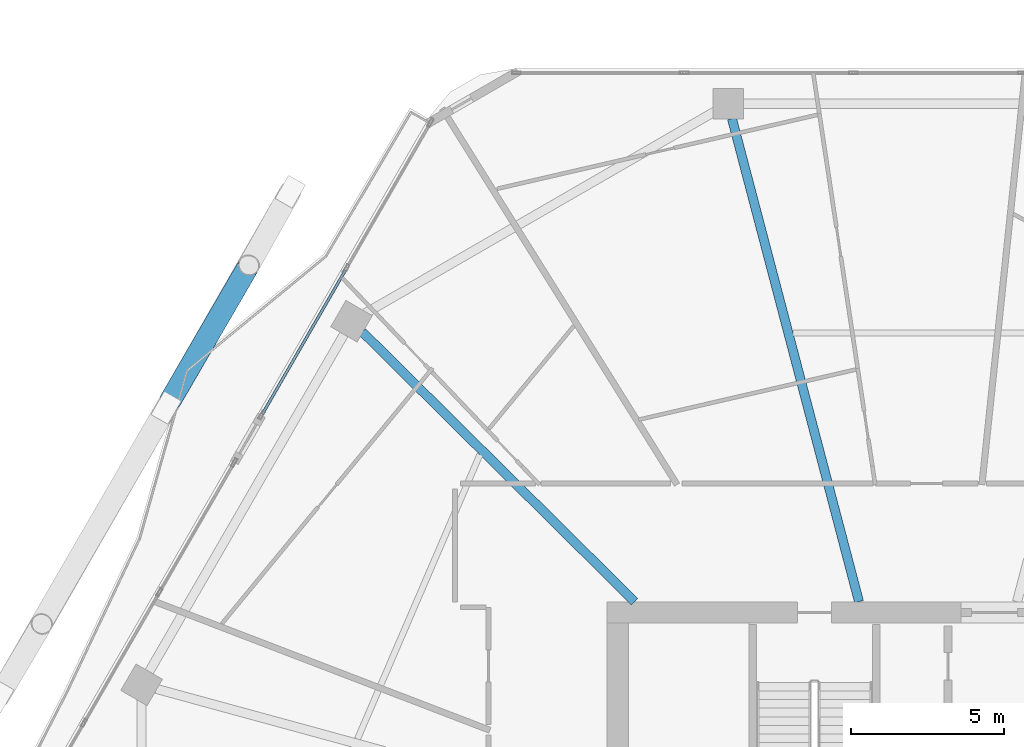
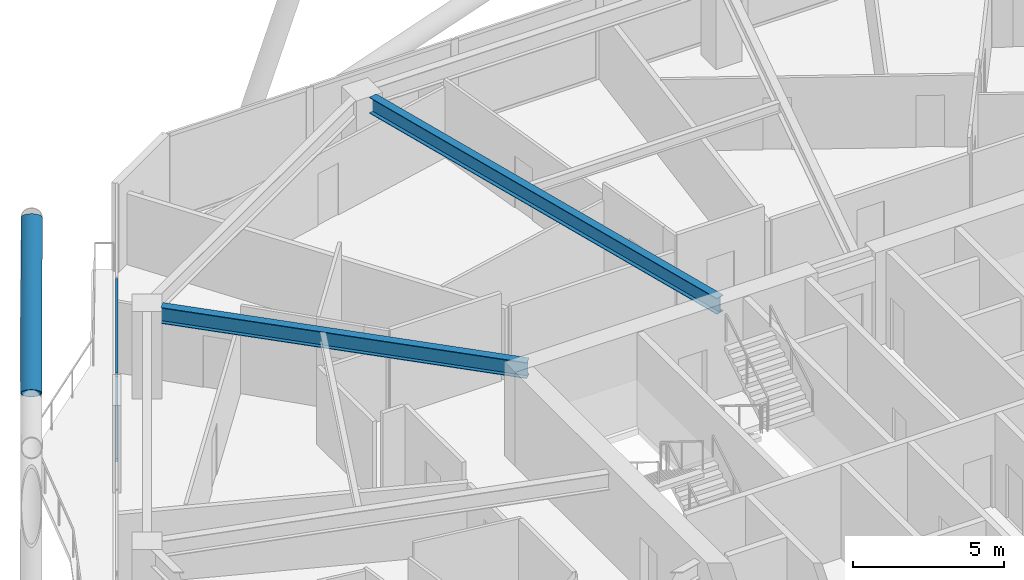
# One storey, part 13 of 30: 3 members, 2 beams, 1 element without a shape of its own.
"""IFC4 building model written with IfcOpenShell, lengths in metres."""

from ifc_helpers import new_model, si_unit, direction, frame, origin, origin_2d, place, context, subcontext, project, spatial, hollow_rectangle, hollow_circle, i_section, extrude, material, material_profile, profile_set, type_object, element, aggregate, save


model = new_model("IFC4")

# Units and contexts
model_context = context("Model", 3, precision=1e-05, world=origin(), true_north=direction((0.0, 1.0)))
body_context = subcontext(model_context, "Body", "Model", "MODEL_VIEW")
ifc_project = project(units=[si_unit("LENGTHUNIT", "METRE"), si_unit("AREAUNIT", "SQUARE_METRE"), si_unit("VOLUMEUNIT", "CUBIC_METRE"), si_unit("PLANEANGLEUNIT", "RADIAN"), si_unit("MASSUNIT", "GRAM", prefix="KILO")], contexts=[model_context])

# Site, building, storey
site_placement = place(None, origin())
site = spatial("IfcSite", under=ifc_project, at=site_placement, CompositionType="ELEMENT")
building_placement = place(site_placement, origin())
building = spatial("IfcBuilding", under=site, at=building_placement, Name="Zuhravey Tower", CompositionType="ELEMENT")
storey_placement = place(building_placement, frame((0.0, 0.0, 177.0)))
storey = spatial("IfcBuildingStorey", under=building, at=storey_placement, Name="L44", CompositionType="ELEMENT", Elevation=177.0)

# Curtain wall, members
ifc_material_1 = material(Name="Thermally broken anodised aluminium", Category="aluminium")
curtain_wall_type = type_object("IfcCurtainWallType", Name="Zone 1-2 Residential Curtain Wall CW3", PredefinedType="NOTDEFINED", material=ifc_material_1)
curtain_wall_placement = place(storey_placement, origin())
curtain_wall = element("IfcCurtainWall", 1, at=curtain_wall_placement, inside=storey, type_object=curtain_wall_type, Name="L44 CW3 CW-L44-F3-2", PredefinedType="NOTDEFINED")
ifc_material_2 = material(Name="Anodised aluminium", Category="aluminium")
ifc_material_profile_1 = material_profile(ifc_material_2, hollow_rectangle(XDim=0.090087890625, YDim=0.14990234375, WallThickness=0.0048828125, at=origin_2d()), Name="ALU-RHS-90x150x5")
ifc_profile_set_1 = profile_set([ifc_material_profile_1], Name="Anodised aluminium")
member_type_1 = type_object("IfcMemberType", Name="Curtain-Wall Transom 90x150", PredefinedType="USERDEFINED", material=ifc_profile_set_1)
member_1_placement = place(storey_placement, frame((13.8505859375, 48.00244140625, 0.044921875), z_axis=(0.49999912617, 0.86602590829, 0.0), x_axis=(-0.86602590829, 0.49999912617, 0.0)))
member_1 = element("IfcMember", 2, at=member_1_placement, type_object=member_type_1, Name="CW3 transom 1.1", ObjectType="TRANSOM", PredefinedType="USERDEFINED", context=body_context, shape_type="SweptSolid", body=[
    extrude(hollow_rectangle(XDim=0.090087890625, YDim=0.14990234375, WallThickness=0.0048828125, at=origin_2d()), origin(), (0.0, 0.0, 1.0), 5.44873046875),
])
member_2_placement = place(storey_placement, frame((13.8505859375, 48.00244140625, 3.5048828125), z_axis=(0.49999912617, 0.86602590829, 0.0), x_axis=(-0.86602590829, 0.49999912617, 0.0)))
member_2 = element("IfcMember", 3, at=member_2_placement, type_object=member_type_1, Name="CW3 transom 1.2", ObjectType="TRANSOM", PredefinedType="USERDEFINED", context=body_context, shape_type="SweptSolid", body=[
    extrude(hollow_rectangle(XDim=0.090087890625, YDim=0.14990234375, WallThickness=0.0048828125, at=origin_2d()), origin(), (0.0, 0.0, 1.0), 5.44873046875),
])
aggregate(curtain_wall, [member_1, member_2])

# Member
ifc_material_3 = material(Name="Steel SM460", Category="steel")
ifc_material_profile_2 = material_profile(ifc_material_3, hollow_circle(Radius=0.355712890625, WallThickness=0.031982421875, at=origin_2d()), Name="CHS-711.2x32")
ifc_profile_set_2 = profile_set([ifc_material_profile_2], Name="Steel SM460")
member_type_2 = type_object("IfcMemberType", Name="Exoskeleton Zone 2 Diagrid CHS711x32", PredefinedType="BRACE", material=ifc_profile_set_2)
member_3_placement = place(storey_placement, frame((10.839111328125, 48.45458984375, 3.534912109375), z_axis=(0.410689024779, 0.706843105016, 0.575940404744), x_axis=(-0.864648681518, 0.502377007386, 0.0)))
element("IfcMember", 4, at=member_3_placement, inside=storey, type_object=member_type_2, Name="L44 Face 3 Split Diagrid Brace 3B", PredefinedType="BRACE", context=body_context, shape_type="SweptSolid", body=[
    extrude(hollow_circle(Radius=0.355712890625, WallThickness=0.031982421875, at=origin_2d()), origin(), (0.0, 0.0, 1.0), 6.205078125),
])

# Beams
ifc_material_4 = material(Name="Steel SM355", Category="steel")
ifc_material_profile_3 = material_profile(ifc_material_4, i_section(OverallWidth=0.300048828125, OverallDepth=0.64990234375, WebThickness=0.012939453125, FlangeThickness=0.02197265625, at=origin_2d()), Name="H-650x300x13x22")
ifc_profile_set_3 = profile_set([ifc_material_profile_3], Name="Steel SM355")
beam_type = type_object("IfcBeamType", Name="Radial Primary Girder H650x300", PredefinedType="BEAM", material=ifc_profile_set_3)
beam_1_placement = place(storey_placement, frame((33.4091796875, 41.85302734375, 3.22509765625), z_axis=(-0.254300244998, 0.967125320418, 0.0), x_axis=(-0.967125320418, -0.254300244998, 0.0)))
element("IfcBeam", 5, at=beam_1_placement, inside=storey, type_object=beam_type, Name="L44 RG2 BM-L44-RAD-04", PredefinedType="BEAM", context=body_context, shape_type="SweptSolid", body=[
    extrude(i_section(OverallWidth=0.300048828125, OverallDepth=0.64990234375, WebThickness=0.012939453125, FlangeThickness=0.02197265625, at=origin_2d()), origin(), (0.0, 0.0, 1.0), 16.371826171875),
])
beam_2_placement = place(storey_placement, frame((26.054443359375, 41.85302734375, 3.22509765625), z_axis=(-0.71040353357, 0.703794586148, 0.0), x_axis=(-0.703794586148, -0.71040353357, 0.0)))
element("IfcBeam", 6, at=beam_2_placement, inside=storey, type_object=beam_type, Name="L44 RG2 BM-L44-RAD-05", PredefinedType="BEAM", context=body_context, shape_type="SweptSolid", body=[
    extrude(i_section(OverallWidth=0.300048828125, OverallDepth=0.64990234375, WebThickness=0.012939453125, FlangeThickness=0.02197265625, at=origin_2d()), origin(), (0.0, 0.0, 1.0), 12.559814453125),
])

save(model, "model.ifc")
